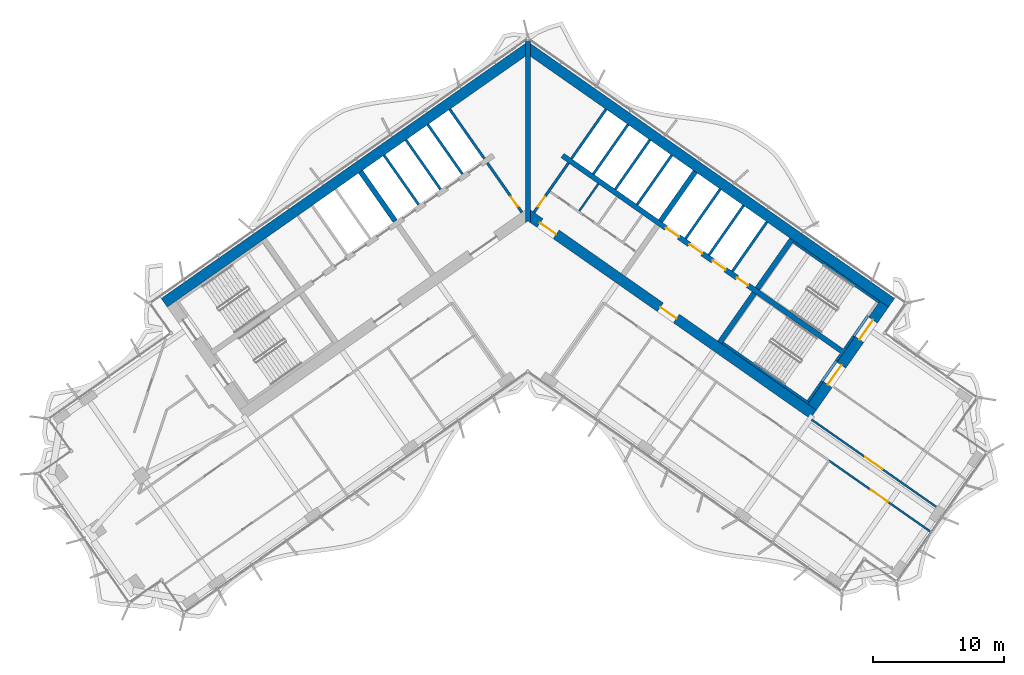
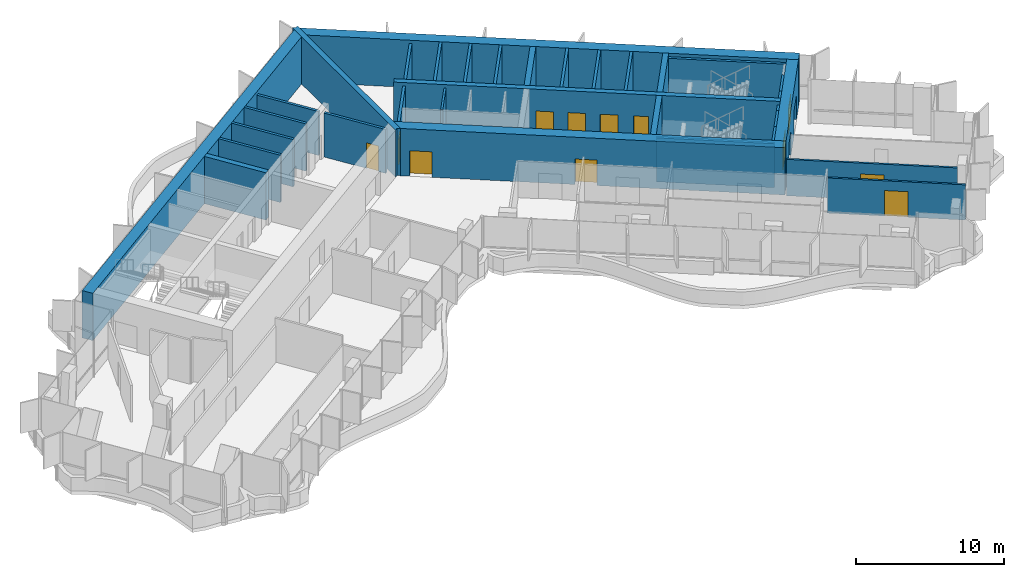
# One storey, part 16 of 23: 33 walls, 12 doors, 12 openings.
"""IFC4 building model written with IfcOpenShell, lengths in metres."""

import ifcopenshell
import ifcopenshell.guid

model = None  # the IFC model being written
_history = None  # IfcOwnerHistory: only IFC2X3 demands one
_inside = {}  # id of a spatial element -> (the spatial element, [elements in it])
_under = {}  # id of a project, library or spatial element -> (it, [spatial elements below it])
_declared = {}  # id of a project -> (the project, [libraries it declares])
_typed = {}  # id of a type object -> (the type object, [elements of that type])
_made_of = {}  # id of a material, layer set ... -> (it, [elements and type objects made of it])


def new_model(schema):
    """Start an empty IFC model of exactly this schema.

    Asked for "IFC4X3", IfcOpenShell would pick the latest addendum, in which some entities
    have other attributes; the version numbers below select the first issue.
    IFC2X3 requires an IfcOwnerHistory on every rooted entity: one is made here for all.
    """
    global model, _history
    if schema == "IFC4X3":
        model = ifcopenshell.file(schema_version=(4, 3, 0, 0))
    else:
        model = ifcopenshell.file(schema=schema)
    _inside.clear()
    _under.clear()
    _declared.clear()
    _typed.clear()
    _made_of.clear()
    _history = None
    if model.schema == "IFC2X3":
        org = make("IfcOrganization", Name="unknown")
        user = make(
            "IfcPersonAndOrganization",
            ThePerson=make("IfcPerson", FamilyName="unknown"),
            TheOrganization=org,
        )
        app = make(
            "IfcApplication",
            ApplicationDeveloper=org,
            Version="unknown",
            ApplicationFullName="unknown",
            ApplicationIdentifier="unknown",
        )
        _history = make(
            "IfcOwnerHistory",
            OwningUser=user,
            OwningApplication=app,
            ChangeAction="ADDED",
            CreationDate=0,
        )
    return model


def make(cls, **values):
    """One entity of the class cls with the attributes given. An attribute that is None is left unset."""
    return model.create_entity(
        cls, **{name: value for name, value in values.items() if value is not None}
    )


def rooted(cls, **values):
    """An entity with a GlobalId (a new one), such as an element, a storey or a relation."""
    return make(cls, GlobalId=ifcopenshell.guid.new(), OwnerHistory=_history, **values)


def si_unit(unit_type, name, prefix=None):
    """IfcSIUnit, for example si_unit("LENGTHUNIT", "METRE", prefix="MILLI")."""
    return make("IfcSIUnit", UnitType=unit_type, Prefix=prefix, Name=name)


def assignment(units):
    """IfcUnitAssignment: the units of a project."""
    return None if units is None else make("IfcUnitAssignment", Units=units)


def point(xyz):
    """IfcCartesianPoint."""
    return None if xyz is None else make("IfcCartesianPoint", Coordinates=xyz)


def direction(xyz):
    """IfcDirection."""
    return None if xyz is None else make("IfcDirection", DirectionRatios=xyz)


def frame(location, z_axis=None, x_axis=None):
    """IfcAxis2Placement3D, a coordinate frame: its origin and axes. An axis left out is left unset."""
    return make(
        "IfcAxis2Placement3D",
        Location=point(location),
        Axis=direction(z_axis),
        RefDirection=direction(x_axis),
    )


def frame_2d(location, x_axis=None):
    """IfcAxis2Placement2D, a coordinate frame in the plane: its origin and x axis."""
    return make(
        "IfcAxis2Placement2D", Location=point(location), RefDirection=direction(x_axis)
    )


def origin():
    """The frame at (0, 0, 0) with its axes left unset."""
    return frame((0.0, 0.0, 0.0))


def place(relative_to, where):
    """IfcLocalPlacement: puts the frame where relative to a parent placement (None: the world)."""
    return make(
        "IfcLocalPlacement", PlacementRelTo=relative_to, RelativePlacement=where
    )


def context(
    kind, dimensions, precision=None, world=None, true_north=None, identifier=None
):
    """IfcGeometricRepresentationContext, for example the 3D "Model" context."""
    return make(
        "IfcGeometricRepresentationContext",
        ContextIdentifier=identifier,
        ContextType=kind,
        CoordinateSpaceDimension=dimensions,
        Precision=precision,
        WorldCoordinateSystem=world,
        TrueNorth=true_north,
    )


def subcontext(parent, identifier, kind, view, scale=None):
    """IfcGeometricRepresentationSubContext, for example "Body" below "Model"."""
    return make(
        "IfcGeometricRepresentationSubContext",
        ContextIdentifier=identifier,
        ContextType=kind,
        ParentContext=parent,
        TargetScale=scale,
        TargetView=view,
    )


def project(units=None, contexts=None):
    """IfcProject with its units and contexts."""
    return rooted(
        "IfcProject",
        Name="project",
        RepresentationContexts=contexts,
        UnitsInContext=assignment(units),
    )


def spatial(cls, under=None, at=None, **own):
    """A site, building, storey or space (cls), placed at a placement, below another one or the project."""
    s = rooted(cls, ObjectPlacement=at, **own)
    if under is not None:
        _under.setdefault(under.id(), (under, []))[1].append(s)
    return s


def polyline(points):
    """IfcPolyline through the points."""
    return make("IfcPolyline", Points=[point(p) for p in points])


def profile(cls, at=None, kind="AREA", **sizes):
    """A parametric profile (cls). Its sizes go by their IFC names, for example OverallWidth=200.0."""
    return make(cls, ProfileType=kind, Position=at, **sizes)


def rectangle(**sizes):
    """IfcRectangleProfileDef."""
    return profile("IfcRectangleProfileDef", **sizes)


def outline(outer, holes=None, kind="AREA"):
    """IfcArbitraryClosedProfileDef: a profile drawn as a closed curve; with holes, ...WithVoids."""
    if holes is None:
        return make("IfcArbitraryClosedProfileDef", ProfileType=kind, OuterCurve=outer)
    return make(
        "IfcArbitraryProfileDefWithVoids",
        ProfileType=kind,
        OuterCurve=outer,
        InnerCurves=holes,
    )


def extrude(swept, where, along, depth):
    """IfcExtrudedAreaSolid: the profile swept, set in the frame where, extruded along a direction by depth."""
    return make(
        "IfcExtrudedAreaSolid",
        SweptArea=swept,
        Position=where,
        ExtrudedDirection=direction(along),
        Depth=depth,
    )


def shape(context_of_items, identifier, shape_type, items):
    """IfcShapeRepresentation: the items that make up one representation, for example the "Body"."""
    return make(
        "IfcShapeRepresentation",
        ContextOfItems=context_of_items,
        RepresentationIdentifier=identifier,
        RepresentationType=shape_type,
        Items=items,
    )


def material(Name=None, Category=None):
    """IfcMaterial."""
    return make("IfcMaterial", Name=Name, Category=Category)


def layer(
    of_material, thickness, ventilated=None, Name=None, Category=None, Priority=None
):
    """IfcMaterialLayer: one layer of a wall or slab, of a material (None: an air gap)."""
    return make(
        "IfcMaterialLayer",
        Material=of_material,
        LayerThickness=thickness,
        IsVentilated=ventilated,
        Name=Name,
        Category=Category,
        Priority=Priority,
    )


def layer_set(layers, Name=None):
    """IfcMaterialLayerSet."""
    return make("IfcMaterialLayerSet", MaterialLayers=layers, LayerSetName=Name)


def made_of(thing, what):
    """Note that an element or type object is made of a material, layer set ...; save() writes the relation."""
    if what is not None:
        _made_of.setdefault(what.id(), (what, []))[1].append(thing)
    return thing


def type_object(cls, material=None, **own):
    """A type object (cls), such as IfcWallType, which elements share."""
    return made_of(rooted(cls, **own), material)


def element(
    cls,
    number,
    at=None,
    inside=None,
    cuts=None,
    type_object=None,
    material=None,
    context=None,
    identifier="Body",
    shape_type=None,
    held_by="IfcProductDefinitionShape",
    body=None,
    shapes=None,
    **own,
):
    """One element of the class cls, such as IfcWall. Its Tag is "e" and its number.

    at: its placement. inside: the storey or other place that contains it. cuts: it is an
    opening in that element (IfcRelVoidsElement). A single representation is given by context,
    identifier, shape_type and body (its items); several are given by shapes. held_by: the class
    of the entity that holds the representations. save() writes the other relations.
    """
    e = rooted(cls, Tag="e%d" % number, ObjectPlacement=at, **own)
    if body is not None:
        shapes = [shape(context, identifier, shape_type, body)]
    if shapes is not None:
        e.Representation = make(held_by, Representations=shapes)
    if inside is not None:
        _inside.setdefault(inside.id(), (inside, []))[1].append(e)
    if cuts is not None:
        rooted(
            "IfcRelVoidsElement", RelatingBuildingElement=cuts, RelatedOpeningElement=e
        )
    if type_object is not None:
        _typed.setdefault(type_object.id(), (type_object, []))[1].append(e)
    return made_of(e, material)


def fill(opening, filler):
    """IfcRelFillsElement: the door or window that sits in an opening."""
    return rooted(
        "IfcRelFillsElement",
        RelatingOpeningElement=opening,
        RelatedBuildingElement=filler,
    )


def aggregate(whole, parts):
    """IfcRelAggregates: a whole, such as a stair, and the parts it consists of."""
    return rooted("IfcRelAggregates", RelatingObject=whole, RelatedObjects=parts)


def save(model, path):
    """Write the relations noted so far, then the file.

    IfcRelAggregates (storeys below a building ...), IfcRelContainedInSpatialStructure (elements
    in a storey), IfcRelDefinesByType, IfcRelAssociatesMaterial and IfcRelDeclares: one each for
    every whole, place, type object, material and project.
    """
    for whole, parts in _under.values():
        aggregate(whole, parts)
    for where, things in _inside.values():
        rooted(
            "IfcRelContainedInSpatialStructure",
            RelatedElements=things,
            RelatingStructure=where,
        )
    for kind, things in _typed.values():
        rooted("IfcRelDefinesByType", RelatedObjects=things, RelatingType=kind)
    for what, things in _made_of.values():
        rooted("IfcRelAssociatesMaterial", RelatedObjects=things, RelatingMaterial=what)
    for by, libraries in _declared.values():
        rooted("IfcRelDeclares", RelatingContext=by, RelatedDefinitions=libraries)
    model.write(path)


model = new_model("IFC4")

# Units and contexts
model_context = context("Model", 3, precision=1e-05, world=origin(), true_north=direction((0.0, 1.0)))
body_context = subcontext(model_context, "Body", "Model", "MODEL_VIEW")
ifc_project = project(units=[si_unit("LENGTHUNIT", "METRE"), si_unit("AREAUNIT", "SQUARE_METRE"), si_unit("VOLUMEUNIT", "CUBIC_METRE"), si_unit("PLANEANGLEUNIT", "RADIAN"), si_unit("MASSUNIT", "GRAM", prefix="KILO")], contexts=[model_context])

# Site, building, storey
site_placement = place(None, origin())
site = spatial("IfcSite", under=ifc_project, at=site_placement, CompositionType="ELEMENT")
building_placement = place(site_placement, origin())
building = spatial("IfcBuilding", under=site, at=building_placement, Name="Tel Ilan Convention Tower", CompositionType="ELEMENT")
storey_placement = place(building_placement, frame((0.0, 0.0, 198.300048828125)))
storey = spatial("IfcBuildingStorey", under=building, at=storey_placement, Name="L46", CompositionType="ELEMENT", Elevation=198.300048828125)

# Wall
ifc_material_1 = material(Name="Gypsum Plasterboard on Steel Stud", Category="steel")
ifc_layer_1 = layer(ifc_material_1, 0.14990234375)
ifc_layer_set_1 = layer_set([ifc_layer_1], Name="Core Room Partition Wall 150 mm EI 60")
wall_type_1 = type_object("IfcWallType", Name="Core Room Partition Wall 150 mm EI 60", PredefinedType="PARTITIONING", material=ifc_layer_set_1)
wall_1_placement = place(storey_placement, frame((3.922119140625, -0.457275390625, 0.0), z_axis=(0.0, 0.0, 1.0), x_axis=(0.573566168143, 0.81915923407, 0.0)))
element("IfcWall", 1, at=wall_1_placement, inside=storey, type_object=wall_type_1, Name="L46 core wall wc-v0", PredefinedType="PARTITIONING", context=body_context, shape_type="SweptSolid", body=[
    extrude(rectangle(XDim=2.52490234375, YDim=0.14990234375, at=frame_2d((1.262451171875, 0.0))), origin(), (0.0, 0.0, 1.0), 3.619873046875),
])

# Wall, opening, door
ifc_material_2 = material(Name="Concrete C30/37", Category="concrete")
ifc_layer_2 = layer(ifc_material_2, 0.199951171875)
ifc_layer_set_2 = layer_set([ifc_layer_2], Name="Core Service Room Wall 200 mm C30/37")
wall_type_2 = type_object("IfcWallType", Name="Core Service Room Wall 200 mm C30/37", PredefinedType="SOLIDWALL", material=ifc_layer_set_2)
wall_2_placement = place(storey_placement, frame((-0.458740234375, -0.565185546875, 0.0), z_axis=(0.0, 0.0, 1.0), x_axis=(-0.573576324356, 0.819152122709, 0.0)))
wall_2 = element("IfcWall", 2, at=wall_2_placement, inside=storey, type_object=wall_type_2, Name="L46 core wall apex-W", PredefinedType="SOLIDWALL", context=body_context, shape_type="SweptSolid", body=[
    extrude(rectangle(XDim=4.599853515625, YDim=0.199951171875, at=frame_2d((2.2998046875, 0.0))), origin(), (0.0, 0.0, 1.0), 3.619873046875),
])
opening_1_placement = place(wall_2_placement, frame((0.550048828125, 0.0, 0.0)))
opening_1 = element("IfcOpeningElement", 3, at=opening_1_placement, cuts=wall_2, Name="Opening CD3602", PredefinedType="OPENING", context=body_context, shape_type="SweptSolid", body=[
    extrude(rectangle(XDim=0.89990234375, YDim=2.10009765625, at=frame_2d((0.449951171875, 1.050048828125))), frame((0.0, 0.10986328125, 0.0), z_axis=(0.0, -1.0, 0.0), x_axis=(1.0, 0.0, 0.0)), (0.0, 0.0, 1.0), 0.219970703125),
])
ifc_material_3 = material(Name="Galvanised Steel Door Leaf", Category="steel")
door_type_1 = type_object("IfcDoorType", Name="Service Room Door 900 x 2100 FD60", OperationType="NOTDEFINED", PredefinedType="DOOR", material=ifc_material_3)
door_1_placement = place(opening_1_placement, origin())
door_1 = element("IfcDoor", 4, at=door_1_placement, inside=storey, type_object=door_type_1, Name="Telecom Room door", OperationType="SINGLE_SWING_RIGHT", OverallHeight=2.10009765625, OverallWidth=0.89990234375, PredefinedType="DOOR", context=body_context, shape_type="SweptSolid", body=[
    extrude(rectangle(XDim=0.89990234375, YDim=2.10009765625, at=frame_2d((0.449951171875, 1.050048828125))), frame((0.0, 0.02490234375, 0.0), z_axis=(0.0, -1.0, 0.0), x_axis=(1.0, 0.0, 0.0)), (0.0, 0.0, 1.0), 0.050048828125),
])
fill(opening_1, door_1)

# Wall
wall_3_placement = place(storey_placement, frame((-3.32666015625, 3.530517578125, 0.0), z_axis=(0.0, 0.0, 1.0), x_axis=(-0.573576324356, 0.819152122709, 0.0)))
element("IfcWall", 5, at=wall_3_placement, inside=storey, type_object=wall_type_2, Name="L46 core wall apex-W-b", PredefinedType="SOLIDWALL", context=body_context, shape_type="SweptSolid", body=[
    extrude(rectangle(XDim=4.599853515625, YDim=0.199951171875, at=frame_2d((2.2998046875, 0.0))), origin(), (0.0, 0.0, 1.0), 3.619873046875),
])

# Wall, opening, door
wall_4_placement = place(storey_placement, frame((0.458740234375, -0.565185546875, 0.0), z_axis=(0.0, 0.0, 1.0), x_axis=(0.573576324356, 0.819152122709, 0.0)))
wall_4 = element("IfcWall", 6, at=wall_4_placement, inside=storey, type_object=wall_type_2, Name="L46 core wall apex-E", PredefinedType="SOLIDWALL", context=body_context, shape_type="SweptSolid", body=[
    extrude(rectangle(XDim=4.599853515625, YDim=0.199951171875, at=frame_2d((2.2998046875, 0.0))), origin(), (0.0, 0.0, 1.0), 3.619873046875),
])
opening_2_placement = place(wall_4_placement, frame((0.550048828125, 0.0, 0.0)))
opening_2 = element("IfcOpeningElement", 7, at=opening_2_placement, cuts=wall_4, Name="Opening CD3601", PredefinedType="OPENING", context=body_context, shape_type="SweptSolid", body=[
    extrude(rectangle(XDim=0.89990234375, YDim=2.10009765625, at=frame_2d((0.449951171875, 1.050048828125))), frame((0.0, 0.10986328125, 0.0), z_axis=(0.0, -1.0, 0.0), x_axis=(1.0, 0.0, 0.0)), (0.0, 0.0, 1.0), 0.219970703125),
])
door_2_placement = place(opening_2_placement, origin())
door_2 = element("IfcDoor", 8, at=door_2_placement, inside=storey, type_object=door_type_1, Name="Data Room door", OperationType="SINGLE_SWING_RIGHT", OverallHeight=2.10009765625, OverallWidth=0.89990234375, PredefinedType="DOOR", context=body_context, shape_type="SweptSolid", body=[
    extrude(rectangle(XDim=0.89990234375, YDim=2.10009765625, at=frame_2d((0.449951171875, 1.050048828125))), frame((0.0, 0.02490234375, 0.0), z_axis=(0.0, -1.0, 0.0), x_axis=(1.0, 0.0, 0.0)), (0.0, 0.0, 1.0), 0.050048828125),
])
fill(opening_2, door_2)

# Walls
wall_5_placement = place(storey_placement, frame((3.32666015625, 3.530517578125, 0.0), z_axis=(0.0, 0.0, 1.0), x_axis=(0.573576324356, 0.819152122709, 0.0)))
element("IfcWall", 9, at=wall_5_placement, inside=storey, type_object=wall_type_2, Name="L46 core wall apex-E-b", PredefinedType="SOLIDWALL", context=body_context, shape_type="SweptSolid", body=[
    extrude(rectangle(XDim=4.599853515625, YDim=0.199951171875, at=frame_2d((2.2998046875, 0.0))), origin(), (0.0, 0.0, 1.0), 3.619873046875),
])
ifc_material_4 = material(Name="Concrete C50/60", Category="concrete")
ifc_layer_3 = layer(ifc_material_4, 0.39990234375)
ifc_layer_set_3 = layer_set([ifc_layer_3], Name="Core Shear Wall 400 mm C50/60")
wall_type_3 = type_object("IfcWallType", Name="Core Shear Wall 400 mm C50/60", PredefinedType="SHEAR", material=ifc_layer_set_3)
wall_6_placement = place(storey_placement, frame((-10.12548828125, -1.230224609375, 0.0), z_axis=(0.0, 0.0, 1.0), x_axis=(-0.573576324356, 0.819152122709, 0.0)))
element("IfcWall", 10, at=wall_6_placement, inside=storey, type_object=wall_type_3, Name="L46 core wall W-cross1-2", PredefinedType="SHEAR", context=body_context, shape_type="SweptSolid", body=[
    extrude(outline(polyline([(4.60009765625, -0.199951171875), (4.599853515625, 0.199951171875), (0.0, 0.2001953125), (0.0, -0.199951171875), (4.60009765625, -0.199951171875)])), origin(), (0.0, 0.0, 1.0), 3.89990234375),
])
wall_7_placement = place(storey_placement, frame((10.12548828125, -1.230224609375, 0.0), z_axis=(0.0, 0.0, 1.0), x_axis=(0.573576324356, 0.819152122709, 0.0)))
element("IfcWall", 11, at=wall_7_placement, inside=storey, type_object=wall_type_3, Name="L46 core wall E-cross1-2", PredefinedType="SHEAR", context=body_context, shape_type="SweptSolid", body=[
    extrude(outline(polyline([(4.599853515625, -0.199951171875), (4.60009765625, 0.199951171875), (0.0, 0.199951171875), (0.0, -0.2001953125), (4.599853515625, -0.199951171875)])), origin(), (0.0, 0.0, 1.0), 3.89990234375),
])
wall_8_placement = place(storey_placement, frame((14.6298828125, -10.48828125, 0.0), z_axis=(0.0, 0.0, 1.0), x_axis=(0.573611936273, 0.819127185829, 0.0)))
element("IfcWall", 12, at=wall_8_placement, inside=storey, type_object=wall_type_3, Name="L46 core wall E-cross2-1", PredefinedType="SHEAR", context=body_context, shape_type="SweptSolid", body=[
    extrude(outline(polyline([(0.000244140625, 0.199951171875), (0.000244140625, -0.2001953125), (4.60009765625, -0.199951171875), (4.60009765625, 0.2001953125), (0.000244140625, 0.199951171875)])), origin(), (0.0, 0.0, 1.0), 3.89990234375),
])
wall_9_placement = place(storey_placement, frame((17.497802734375, -6.392333984375, 0.0), z_axis=(0.0, 0.0, 1.0), x_axis=(0.573611936273, 0.819127185829, 0.0)))
element("IfcWall", 13, at=wall_9_placement, inside=storey, type_object=wall_type_3, Name="L46 core wall E-cross2-2", PredefinedType="SHEAR", context=body_context, shape_type="SweptSolid", body=[
    extrude(outline(polyline([(4.599853515625, -0.199951171875), (4.599853515625, 0.2001953125), (0.0, 0.199951171875), (0.0, -0.2001953125), (4.599853515625, -0.199951171875)])), origin(), (0.0, 0.0, 1.0), 3.89990234375),
])

# Wall, openings, doors
wall_10_placement = place(storey_placement, frame((2.638427734375, 3.76806640625, 0.0), z_axis=(0.0, 0.0, 1.0), x_axis=(0.81915267502, -0.573575535572, 0.0)))
wall_10 = element("IfcWall", 14, at=wall_10_placement, inside=storey, type_object=wall_type_3, Name="L46 core wall E-spine", PredefinedType="SHEAR", context=body_context, shape_type="SweptSolid", body=[
    extrude(outline(polyline([(0.0, 0.199951171875), (0.0, -0.199951171875), (26.199951171875, -0.199951171875), (26.199951171875, 0.199951171875), (0.0, 0.199951171875)])), origin(), (0.0, 0.0, 1.0), 3.89990234375),
])
opening_3_placement = place(wall_10_placement, frame((9.637451171875, 0.0, 0.0)))
opening_3 = element("IfcOpeningElement", 15, at=opening_3_placement, cuts=wall_10, Name="Opening LD3601", PredefinedType="OPENING", context=body_context, shape_type="SweptSolid", body=[
    extrude(rectangle(XDim=1.199951171875, YDim=2.10009765625, at=frame_2d((0.60009765625, 1.050048828125))), frame((0.0, 0.2099609375, 0.0), z_axis=(0.0, -1.0, 0.0), x_axis=(1.0, 0.0, 0.0)), (0.0, 0.0, 1.0), 0.419921875),
])
opening_4_placement = place(wall_10_placement, frame((11.8125, 0.0, 0.0)))
opening_4 = element("IfcOpeningElement", 16, at=opening_4_placement, cuts=wall_10, Name="Opening LD3602", PredefinedType="OPENING", context=body_context, shape_type="SweptSolid", body=[
    extrude(rectangle(XDim=1.199951171875, YDim=2.10009765625, at=frame_2d((0.60009765625, 1.050048828125))), frame((0.0, 0.2099609375, 0.0), z_axis=(0.0, -1.0, 0.0), x_axis=(1.0, 0.0, 0.0)), (0.0, 0.0, 1.0), 0.419921875),
])
opening_5_placement = place(wall_10_placement, frame((13.987548828125, 0.0, 0.0)))
opening_5 = element("IfcOpeningElement", 17, at=opening_5_placement, cuts=wall_10, Name="Opening LD3603", PredefinedType="OPENING", context=body_context, shape_type="SweptSolid", body=[
    extrude(rectangle(XDim=1.199951171875, YDim=2.10009765625, at=frame_2d((0.60009765625, 1.050048828125))), frame((0.0, 0.2099609375, 0.0), z_axis=(0.0, -1.0, 0.0), x_axis=(1.0, 0.0, 0.0)), (0.0, 0.0, 1.0), 0.419921875),
])
opening_6_placement = place(wall_10_placement, frame((16.262451171875, 0.0, 0.0)))
opening_6 = element("IfcOpeningElement", 18, at=opening_6_placement, cuts=wall_10, Name="Opening CD3607", PredefinedType="OPENING", context=body_context, shape_type="SweptSolid", body=[
    extrude(rectangle(XDim=1.0, YDim=2.10009765625, at=frame_2d((0.5, 1.050048828125))), frame((0.0, 0.2099609375, 0.0), z_axis=(0.0, -1.0, 0.0), x_axis=(1.0, 0.0, 0.0)), (0.0, 0.0, 1.0), 0.419921875),
])
ifc_material_5 = material(Name="Stainless Steel Sliding Door Leaf", Category="steel")
door_type_2 = type_object("IfcDoorType", Name="Lift Landing Door 1200 x 2100 FD120", OperationType="NOTDEFINED", PredefinedType="DOOR", material=ifc_material_5)
door_3_placement = place(opening_3_placement, origin())
door_3 = element("IfcDoor", 19, at=door_3_placement, inside=storey, type_object=door_type_2, Name="Lift FL1 landing door", OperationType="SLIDING_TO_LEFT", OverallHeight=2.10009765625, OverallWidth=1.199951171875, PredefinedType="DOOR", context=body_context, shape_type="SweptSolid", body=[
    extrude(rectangle(XDim=1.199951171875, YDim=2.10009765625, at=frame_2d((0.60009765625, 1.050048828125))), frame((0.0, 0.02490234375, 0.0), z_axis=(0.0, -1.0, 0.0), x_axis=(1.0, 0.0, 0.0)), (0.0, 0.0, 1.0), 0.050048828125),
])
fill(opening_3, door_3)
door_4_placement = place(opening_4_placement, origin())
door_4 = element("IfcDoor", 20, at=door_4_placement, inside=storey, type_object=door_type_2, Name="Lift FL2 landing door", OperationType="SLIDING_TO_RIGHT", OverallHeight=2.10009765625, OverallWidth=1.199951171875, PredefinedType="DOOR", context=body_context, shape_type="SweptSolid", body=[
    extrude(rectangle(XDim=1.199951171875, YDim=2.10009765625, at=frame_2d((0.60009765625, 1.050048828125))), frame((0.0, 0.02490234375, 0.0), z_axis=(0.0, -1.0, 0.0), x_axis=(1.0, 0.0, 0.0)), (0.0, 0.0, 1.0), 0.050048828125),
])
fill(opening_4, door_4)
door_5_placement = place(opening_5_placement, origin())
door_5 = element("IfcDoor", 21, at=door_5_placement, inside=storey, type_object=door_type_2, Name="Lift FL3 landing door", OperationType="SLIDING_TO_LEFT", OverallHeight=2.10009765625, OverallWidth=1.199951171875, PredefinedType="DOOR", context=body_context, shape_type="SweptSolid", body=[
    extrude(rectangle(XDim=1.199951171875, YDim=2.10009765625, at=frame_2d((0.60009765625, 1.050048828125))), frame((0.0, 0.02490234375, 0.0), z_axis=(0.0, -1.0, 0.0), x_axis=(1.0, 0.0, 0.0)), (0.0, 0.0, 1.0), 0.050048828125),
])
fill(opening_5, door_5)
ifc_material_6 = material(Name="Galvanised Steel Door Leaf", Category="steel")
door_type_3 = type_object("IfcDoorType", Name="Service Room Door 1000 x 2100 FD60", OperationType="NOTDEFINED", PredefinedType="DOOR", material=ifc_material_6)
door_6_placement = place(opening_6_placement, origin())
door_6 = element("IfcDoor", 22, at=door_6_placement, inside=storey, type_object=door_type_3, Name="Plant Room door", OperationType="SINGLE_SWING_RIGHT", OverallHeight=2.10009765625, OverallWidth=1.0, PredefinedType="DOOR", context=body_context, shape_type="SweptSolid", body=[
    extrude(rectangle(XDim=1.0, YDim=2.10009765625, at=frame_2d((0.5, 1.050048828125))), frame((0.0, 0.02490234375, 0.0), z_axis=(0.0, -1.0, 0.0), x_axis=(1.0, 0.0, 0.0)), (0.0, 0.0, 1.0), 0.050048828125),
])
fill(opening_6, door_6)

# Walls
wall_11_placement = place(storey_placement, frame((0.0, -1.36083984375, 0.0), z_axis=(0.0, 0.0, 1.0), x_axis=(0.0, 1.0, 0.0)))
element("IfcWall", 23, at=wall_11_placement, inside=storey, type_object=wall_type_3, Name="L46 core wall K-central", PredefinedType="SHEAR", context=body_context, shape_type="SweptSolid", body=[
    extrude(outline(polyline([(0.0, -0.199951171875), (0.14013671875, -0.199951171875), (1.0751953125, -0.199951171875), (12.696044921875, -0.199951171875), (13.812744140625, -0.199951171875), (13.893310546875, -0.199951171875), (13.933349609375, -0.172119140625), (13.812744140625, 0.0), (13.933349609375, 0.172119140625), (13.893310546875, 0.199951171875), (13.812744140625, 0.199951171875), (12.696044921875, 0.199951171875), (1.0751953125, 0.199951171875), (0.14013671875, 0.199951171875), (0.0, 0.199951171875), (0.14013671875, 0.0), (0.0, -0.199951171875)])), origin(), (0.0, 0.0, 1.0), 3.89990234375),
])
ifc_material_7 = material(Name="Concrete C50/60", Category="concrete")
ifc_layer_4 = layer(ifc_material_7, 0.800048828125)
ifc_layer_set_4 = layer_set([ifc_layer_4], Name="Core Shear Wall 800 mm C50/60")
wall_type_4 = type_object("IfcWallType", Name="Core Shear Wall 800 mm C50/60", PredefinedType="SHEAR", material=ifc_layer_set_4)
wall_12_placement = place(storey_placement, frame((0.029296875, 11.984130859375, 0.0), z_axis=(0.0, 0.0, 1.0), x_axis=(-0.819151382952, -0.573577380837, 0.0)))
element("IfcWall", 24, at=wall_12_placement, inside=storey, type_object=wall_type_4, Name="L46 core wall W-back", PredefinedType="SHEAR", context=body_context, shape_type="SweptSolid", body=[
    extrude(outline(polyline([(33.897705078125, 0.39990234375), (0.56005859375, 0.400146484375), (-0.000244140625, -0.39990234375), (33.897705078125, -0.400146484375), (33.897705078125, 0.39990234375)])), origin(), (0.0, 0.0, 1.0), 3.89990234375),
])
wall_13_placement = place(storey_placement, frame((-0.029296875, 11.984130859375, 0.0), z_axis=(0.0, 0.0, 1.0), x_axis=(0.819151382952, -0.573577380837, 0.0)))
element("IfcWall", 25, at=wall_13_placement, inside=storey, type_object=wall_type_4, Name="L46 core wall E-back", PredefinedType="SHEAR", context=body_context, shape_type="SweptSolid", body=[
    extrude(outline(polyline([(33.897705078125, 0.400146484375), (-0.000244140625, 0.39990234375), (0.56005859375, -0.400146484375), (33.897705078125, -0.39990234375), (33.897705078125, 0.400146484375)])), origin(), (0.0, 0.0, 1.0), 3.89990234375),
])

# Wall, openings, doors
wall_14_placement = place(storey_placement, frame((-0.029296875, -0.7119140625, 0.0), z_axis=(0.0, 0.0, 1.0), x_axis=(0.819151758019, -0.573576845187, 0.0)))
wall_14 = element("IfcWall", 26, at=wall_14_placement, inside=storey, type_object=wall_type_4, Name="L46 core wall E-front", PredefinedType="SHEAR", context=body_context, shape_type="SweptSolid", body=[
    extrude(outline(polyline([(26.61572265625, 0.39990234375), (-0.000244140625, 0.39990234375), (0.56005859375, -0.39990234375), (26.61572265625, -0.39990234375), (26.61572265625, 0.39990234375)])), origin(), (0.0, 0.0, 1.0), 3.89990234375),
])
opening_7_placement = place(wall_14_placement, frame((1.165771484375, 0.0, 0.0)))
opening_7 = element("IfcOpeningElement", 27, at=opening_7_placement, cuts=wall_14, Name="Opening CD3603", PredefinedType="OPENING", context=body_context, shape_type="SweptSolid", body=[
    extrude(rectangle(XDim=1.5, YDim=2.10009765625, at=frame_2d((0.75, 1.050048828125))), frame((0.0, 0.409912109375, 0.0), z_axis=(0.0, -1.0, 0.0), x_axis=(1.0, 0.0, 0.0)), (0.0, 0.0, 1.0), 0.820068359375),
])
opening_8_placement = place(wall_14_placement, frame((12.36572265625, 0.0, 0.0)))
opening_8 = element("IfcOpeningElement", 28, at=opening_8_placement, cuts=wall_14, Name="Opening CD3604", PredefinedType="OPENING", context=body_context, shape_type="SweptSolid", body=[
    extrude(rectangle(XDim=1.5, YDim=2.10009765625, at=frame_2d((0.75, 1.050048828125))), frame((0.0, 0.409912109375, 0.0), z_axis=(0.0, -1.0, 0.0), x_axis=(1.0, 0.0, 0.0)), (0.0, 0.0, 1.0), 0.820068359375),
])
ifc_material_8 = material(Name="Glazed Aluminium Door Leaf", Category="aluminium")
door_type_4 = type_object("IfcDoorType", Name="Lobby Opening Door 1500 x 2100 FD60S", OperationType="NOTDEFINED", PredefinedType="DOOR", material=ifc_material_8)
door_7_placement = place(opening_8_placement, origin())
door_7 = element("IfcDoor", 29, at=door_7_placement, inside=storey, type_object=door_type_4, Name="Firefighting Lobby door", OperationType="DOUBLE_DOOR_SINGLE_SWING", OverallHeight=2.10009765625, OverallWidth=1.5, PredefinedType="DOOR", context=body_context, shape_type="SweptSolid", body=[
    extrude(rectangle(XDim=1.5, YDim=2.10009765625, at=frame_2d((0.75, 1.050048828125))), frame((0.0, 0.02490234375, 0.0), z_axis=(0.0, -1.0, 0.0), x_axis=(1.0, 0.0, 0.0)), (0.0, 0.0, 1.0), 0.050048828125),
])
fill(opening_8, door_7)
ifc_material_9 = material(Name="Laminated Timber Door Leaf", Category="wood")
door_type_5 = type_object("IfcDoorType", Name="Toilet Door 1500 x 2100 FD30S", OperationType="NOTDEFINED", PredefinedType="DOOR", material=ifc_material_9)
door_8_placement = place(opening_7_placement, origin())
door_8 = element("IfcDoor", 30, at=door_8_placement, inside=storey, type_object=door_type_5, Name="WC Lobby door", OperationType="SINGLE_SWING_RIGHT", OverallHeight=2.10009765625, OverallWidth=1.5, PredefinedType="DOOR", context=body_context, shape_type="SweptSolid", body=[
    extrude(rectangle(XDim=1.5, YDim=2.10009765625, at=frame_2d((0.75, 1.050048828125))), frame((0.0, 0.02490234375, 0.0), z_axis=(0.0, -1.0, 0.0), x_axis=(1.0, 0.0, 0.0)), (0.0, 0.0, 1.0), 0.050048828125),
])
fill(opening_7, door_8)

wall_15_placement = place(storey_placement, frame((21.6748046875, -15.4208984375, 0.0), z_axis=(0.0, 0.0, 1.0), x_axis=(0.573581815061, 0.819148278049, 0.0)))
wall_15 = element("IfcWall", 31, at=wall_15_placement, inside=storey, type_object=wall_type_4, Name="L46 core wall E-end", PredefinedType="SHEAR", context=body_context, shape_type="SweptSolid", body=[
    extrude(outline(polyline([(9.599853515625, 0.400146484375), (0.0, 0.39990234375), (0.0, -0.39990234375), (9.599853515625, -0.39990234375), (9.599853515625, 0.400146484375)])), origin(), (0.0, 0.0, 1.0), 3.89990234375),
])
opening_9_placement = place(wall_15_placement, frame((6.300048828125, 0.0, 0.0)))
opening_9 = element("IfcOpeningElement", 32, at=opening_9_placement, cuts=wall_15, Name="Opening SD3603", PredefinedType="OPENING", context=body_context, shape_type="SweptSolid", body=[
    extrude(rectangle(XDim=1.800048828125, YDim=2.10009765625, at=frame_2d((0.89990234375, 1.050048828125))), frame((0.0, 0.409912109375, 0.0), z_axis=(0.0, -1.0, 0.0), x_axis=(1.0, 0.0, 0.0)), (0.0, 0.0, 1.0), 0.820068359375),
])
opening_10_placement = place(wall_15_placement, frame((2.10009765625, 0.0, 0.0)))
opening_10 = element("IfcOpeningElement", 33, at=opening_10_placement, cuts=wall_15, Name="Opening SD3604", PredefinedType="OPENING", context=body_context, shape_type="SweptSolid", body=[
    extrude(rectangle(XDim=1.800048828125, YDim=2.10009765625, at=frame_2d((0.89990234375, 1.050048828125))), frame((0.0, 0.409912109375, 0.0), z_axis=(0.0, -1.0, 0.0), x_axis=(1.0, 0.0, 0.0)), (0.0, 0.0, 1.0), 0.820068359375),
])
ifc_material_10 = material(Name="Galvanised Steel Door Leaf", Category="steel")
door_type_6 = type_object("IfcDoorType", Name="Stair Fire Door 1800 x 2100 FD60S", OperationType="NOTDEFINED", PredefinedType="DOOR", material=ifc_material_10)
door_9_placement = place(opening_9_placement, origin())
door_9 = element("IfcDoor", 34, at=door_9_placement, inside=storey, type_object=door_type_6, Name="Stair S3 door", OperationType="DOUBLE_DOOR_SINGLE_SWING", OverallHeight=2.10009765625, OverallWidth=1.800048828125, PredefinedType="DOOR", context=body_context, shape_type="SweptSolid", body=[
    extrude(rectangle(XDim=1.800048828125, YDim=2.10009765625, at=frame_2d((0.89990234375, 1.050048828125))), frame((0.0, 0.02490234375, 0.0), z_axis=(0.0, -1.0, 0.0), x_axis=(1.0, 0.0, 0.0)), (0.0, 0.0, 1.0), 0.050048828125),
])
fill(opening_9, door_9)
door_10_placement = place(opening_10_placement, origin())
door_10 = element("IfcDoor", 35, at=door_10_placement, inside=storey, type_object=door_type_6, Name="Stair S4 door", OperationType="DOUBLE_DOOR_SINGLE_SWING", OverallHeight=2.10009765625, OverallWidth=1.800048828125, PredefinedType="DOOR", context=body_context, shape_type="SweptSolid", body=[
    extrude(rectangle(XDim=1.800048828125, YDim=2.10009765625, at=frame_2d((0.89990234375, 1.050048828125))), frame((0.0, 0.02490234375, 0.0), z_axis=(0.0, -1.0, 0.0), x_axis=(1.0, 0.0, 0.0)), (0.0, 0.0, 1.0), 0.050048828125),
])
fill(opening_10, door_10)

# Wall, opening, door
ifc_material_11 = material(Name="Plasterboard on Steel Studs", Category="steel")
ifc_layer_5 = layer(ifc_material_11, 0.14990234375)
ifc_layer_set_5 = layer_set([ifc_layer_5], Name="Fire-rated Partition 150 EI 60")
wall_type_5 = type_object("IfcWallType", Name="Fire-rated Partition 150 EI 60", PredefinedType="PARTITIONING", material=ifc_layer_set_5)
wall_16_placement = place(storey_placement, frame((21.641845703125, -16.37451171875, 0.0), z_axis=(0.0, 0.0, 1.0), x_axis=(0.819150694041, -0.573578364701, 0.0)))
wall_16 = element("IfcWall", 36, at=wall_16_placement, inside=storey, type_object=wall_type_5, Name="Partition 001", PredefinedType="PARTITIONING", context=body_context, shape_type="SweptSolid", body=[
    extrude(rectangle(XDim=11.580078125, YDim=0.14990234375, at=frame_2d((5.7900390625, 0.0))), origin(), (0.0, 0.0, 1.0), 3.0),
])
opening_11_placement = place(wall_16_placement, frame((4.989990234375, 0.0, 0.0)))
opening_11 = element("IfcOpeningElement", 37, at=opening_11_placement, cuts=wall_16, Name="Opening L46-014", PredefinedType="OPENING", context=body_context, shape_type="SweptSolid", body=[
    extrude(rectangle(XDim=1.60009765625, YDim=2.10009765625, at=frame_2d((0.800048828125, 1.050048828125))), frame((0.0, 0.0849609375, 0.0), z_axis=(0.0, -1.0, 0.0), x_axis=(1.0, 0.0, 0.0)), (0.0, 0.0, 1.0), 0.169921875),
])
ifc_material_12 = material(Name="Timber Door Leaf in Steel Frame", Category="steel")
door_type_7 = type_object("IfcDoorType", Name="Tenant Suite Entrance Fire Door 1600x2100", OperationType="NOTDEFINED", PredefinedType="DOOR", material=ifc_material_12)
door_11_placement = place(opening_11_placement, origin())
door_11 = element("IfcDoor", 38, at=door_11_placement, inside=storey, type_object=door_type_7, Name="Door L46-014", OperationType="DOUBLE_DOOR_SINGLE_SWING", OverallHeight=2.10009765625, OverallWidth=1.60009765625, PredefinedType="DOOR", context=body_context, shape_type="SweptSolid", body=[
    extrude(rectangle(XDim=1.60009765625, YDim=2.10009765625, at=frame_2d((0.800048828125, 1.050048828125))), frame((0.0, 0.02490234375, 0.0), z_axis=(0.0, -1.0, 0.0), x_axis=(1.0, 0.0, 0.0)), (0.0, 0.0, 1.0), 0.050048828125),
])
fill(opening_11, door_11)

wall_17_placement = place(storey_placement, frame((30.668701171875, -24.892578125, 0.0), z_axis=(0.0, 0.0, 1.0), x_axis=(-0.819157500255, 0.573568644345, 0.0)))
wall_17 = element("IfcWall", 39, at=wall_17_placement, inside=storey, type_object=wall_type_5, Name="Partition 005", PredefinedType="PARTITIONING", context=body_context, shape_type="SweptSolid", body=[
    extrude(rectangle(XDim=9.40234375, YDim=0.14990234375, at=frame_2d((4.701171875, 0.0))), origin(), (0.0, 0.0, 1.0), 2.89990234375),
])
opening_12_placement = place(wall_17_placement, frame((3.90087890625, 0.0, 0.0)))
opening_12 = element("IfcOpeningElement", 40, at=opening_12_placement, cuts=wall_17, Name="Opening L46-012", PredefinedType="OPENING", context=body_context, shape_type="SweptSolid", body=[
    extrude(rectangle(XDim=1.60009765625, YDim=2.10009765625, at=frame_2d((0.800048828125, 1.050048828125))), frame((0.0, 0.0849609375, 0.0), z_axis=(0.0, -1.0, 0.0), x_axis=(1.0, 0.0, 0.0)), (0.0, 0.0, 1.0), 0.169921875),
])
door_12_placement = place(opening_12_placement, origin())
door_12 = element("IfcDoor", 41, at=door_12_placement, inside=storey, type_object=door_type_7, Name="Door L46-012", OperationType="DOUBLE_DOOR_SINGLE_SWING", OverallHeight=2.10009765625, OverallWidth=1.60009765625, PredefinedType="DOOR", context=body_context, shape_type="SweptSolid", body=[
    extrude(rectangle(XDim=1.60009765625, YDim=2.10009765625, at=frame_2d((0.800048828125, 1.050048828125))), frame((0.0, 0.02490234375, 0.0), z_axis=(0.0, -1.0, 0.0), x_axis=(1.0, 0.0, 0.0)), (0.0, 0.0, 1.0), 0.050048828125),
])
fill(opening_12, door_12)

# Walls
ifc_material_13 = material(Name="Concrete C30/37", Category="concrete")
ifc_layer_6 = layer(ifc_material_13, 0.199951171875)
ifc_layer_set_6 = layer_set([ifc_layer_6], Name="Lift Shaft Wall 200 mm C30/37")
wall_type_6 = type_object("IfcWallType", Name="Lift Shaft Wall 200 mm C30/37", PredefinedType="SOLIDWALL", material=ifc_layer_set_6)
for number, where, z_axis, x_axis, name in (
    (42, (-4.99560546875, 2.36181640625, 0.0), (0.0, 0.0, 1.0), (-0.573576324356, 0.819152122709, 0.0), "L46 core wall bank-W1-p0"),
    (43, (-6.66455078125, 1.193115234375, 0.0), (0.0, 0.0, 1.0), (-0.573576324356, 0.819152122709, 0.0), "L46 core wall bank-W1-p1"),
):
    element("IfcWall", number, at=place(storey_placement, frame(where, z_axis=z_axis, x_axis=x_axis)), inside=storey, type_object=wall_type_6, Name=name, PredefinedType="SOLIDWALL", context=body_context, shape_type="SweptSolid", body=[
        extrude(rectangle(XDim=4.599853515625, YDim=0.199951171875, at=frame_2d((2.2998046875, 0.0))), origin(), (0.0, 0.0, 1.0), 3.89990234375),
    ])
wall_18_placement = place(storey_placement, frame((-8.33349609375, 0.0244140625, 0.0), z_axis=(0.0, 0.0, 1.0), x_axis=(-0.573611936273, 0.819127185829, 0.0)))
element("IfcWall", 44, at=wall_18_placement, inside=storey, type_object=wall_type_6, Name="L46 core wall bank-W1-p2", PredefinedType="SOLIDWALL", context=body_context, shape_type="SweptSolid", body=[
    extrude(rectangle(XDim=4.60009765625, YDim=0.199951171875, at=frame_2d((2.300048828125, 0.0))), origin(), (0.0, 0.0, 1.0), 3.89990234375),
])
for number, where, z_axis, x_axis, name in (
    (45, (4.99560546875, 2.36181640625, 0.0), (0.0, 0.0, 1.0), (0.573576324356, 0.819152122709, 0.0), "L46 core wall bank-E1-p0"),
    (46, (6.66455078125, 1.193115234375, 0.0), (0.0, 0.0, 1.0), (0.573576324356, 0.819152122709, 0.0), "L46 core wall bank-E1-p1"),
):
    element("IfcWall", number, at=place(storey_placement, frame(where, z_axis=z_axis, x_axis=x_axis)), inside=storey, type_object=wall_type_6, Name=name, PredefinedType="SOLIDWALL", context=body_context, shape_type="SweptSolid", body=[
        extrude(rectangle(XDim=4.599853515625, YDim=0.199951171875, at=frame_2d((2.2998046875, 0.0))), origin(), (0.0, 0.0, 1.0), 3.89990234375),
    ])
wall_19_placement = place(storey_placement, frame((8.33349609375, 0.0244140625, 0.0), z_axis=(0.0, 0.0, 1.0), x_axis=(0.573611936273, 0.819127185829, 0.0)))
element("IfcWall", 47, at=wall_19_placement, inside=storey, type_object=wall_type_6, Name="L46 core wall bank-E1-p2", PredefinedType="SOLIDWALL", context=body_context, shape_type="SweptSolid", body=[
    extrude(rectangle(XDim=4.60009765625, YDim=0.199951171875, at=frame_2d((2.300048828125, 0.0))), origin(), (0.0, 0.0, 1.0), 3.89990234375),
])
for number, where, z_axis, x_axis, name in (
    (48, (12.030029296875, -2.563720703125, 0.0), (0.0, 0.0, 1.0), (0.573576324356, 0.819152122709, 0.0), "L46 core wall bank-E2-p0"),
    (49, (13.811767578125, -3.811279296875, 0.0), (0.0, 0.0, 1.0), (0.573576324356, 0.819152122709, 0.0), "L46 core wall bank-E2-p1"),
    (50, (15.593505859375, -5.058837890625, 0.0), (0.0, 0.0, 1.0), (0.573540709186, 0.819177059558, 0.0), "L46 core wall bank-E2-p2"),
):
    element("IfcWall", number, at=place(storey_placement, frame(where, z_axis=z_axis, x_axis=x_axis)), inside=storey, type_object=wall_type_6, Name=name, PredefinedType="SOLIDWALL", context=body_context, shape_type="SweptSolid", body=[
        extrude(rectangle(XDim=4.599853515625, YDim=0.199951171875, at=frame_2d((2.2998046875, 0.0))), origin(), (0.0, 0.0, 1.0), 3.89990234375),
    ])
ifc_material_14 = material(Name="Concrete C30/37", Category="concrete")
ifc_layer_7 = layer(ifc_material_14, 0.199951171875)
ifc_layer_set_7 = layer_set([ifc_layer_7], Name="Stair and Shaft Lining Wall 200 mm C30/37")
wall_type_7 = type_object("IfcWallType", Name="Stair and Shaft Lining Wall 200 mm C30/37", PredefinedType="SOLIDWALL", material=ifc_layer_set_7)
wall_20_placement = place(storey_placement, frame((20.242919921875, -2.821044921875, 0.0), z_axis=(0.0, 0.0, 1.0), x_axis=(0.819141584393, -0.57359137434, 0.0)))
element("IfcWall", 51, at=wall_20_placement, inside=storey, type_object=wall_type_7, Name="L46 core wall lining-S3-t1", PredefinedType="SOLIDWALL", context=body_context, shape_type="SweptSolid", body=[
    extrude(rectangle(XDim=7.999755859375, YDim=0.199951171875, at=frame_2d((4.0, 0.0))), origin(), (0.0, 0.0, 1.0), 3.619873046875),
])
wall_21_placement = place(storey_placement, frame((24.16162109375, -10.99755859375, 0.0), z_axis=(0.0, 0.0, 1.0), x_axis=(0.573612502218, 0.819126789514, 0.0)))
element("IfcWall", 52, at=wall_21_placement, inside=storey, type_object=wall_type_7, Name="L46 core wall lining-S3-u1-0", PredefinedType="SOLIDWALL", context=body_context, shape_type="SweptSolid", body=[
    extrude(rectangle(XDim=1.2001953125, YDim=0.199951171875, at=frame_2d((0.60009765625, 0.0))), origin(), (0.0, 0.0, 1.0), 3.619873046875),
])
wall_22_placement = place(storey_placement, frame((24.85009765625, -10.014404296875, 2.14990234375), z_axis=(0.0, 0.0, 1.0), x_axis=(0.573505465124, 0.819201734296, 0.0)))
element("IfcWall", 53, at=wall_22_placement, inside=storey, type_object=wall_type_7, Name="L46 core wall lining-S3-u1-lintel", PredefinedType="SOLIDWALL", context=body_context, shape_type="SweptSolid", body=[
    extrude(rectangle(XDim=1.89990234375, YDim=0.199951171875, at=frame_2d((0.949951171875, 0.0))), origin(), (0.0, 0.0, 1.0), 1.469970703125),
])
wall_23_placement = place(storey_placement, frame((14.851318359375, -10.52099609375, 0.0), z_axis=(0.0, 0.0, 1.0), x_axis=(0.819141584393, -0.57359137434, 0.0)))
element("IfcWall", 54, at=wall_23_placement, inside=storey, type_object=wall_type_7, Name="L46 core wall lining-S4-t0", PredefinedType="SOLIDWALL", context=body_context, shape_type="SweptSolid", body=[
    extrude(rectangle(XDim=7.999755859375, YDim=0.199951171875, at=frame_2d((4.0, 0.0))), origin(), (0.0, 0.0, 1.0), 3.619873046875),
])
wall_24_placement = place(storey_placement, frame((21.3798828125, -14.97021484375, 0.0), z_axis=(0.0, 0.0, 1.0), x_axis=(0.573559770908, 0.819163713305, 0.0)))
element("IfcWall", 55, at=wall_24_placement, inside=storey, type_object=wall_type_7, Name="L46 core wall lining-S4-u1-0", PredefinedType="SOLIDWALL", context=body_context, shape_type="SweptSolid", body=[
    extrude(rectangle(XDim=1.849853515625, YDim=0.199951171875, at=frame_2d((0.9248046875, 0.0))), origin(), (0.0, 0.0, 1.0), 3.619873046875),
])
wall_25_placement = place(storey_placement, frame((23.53076171875, -11.8984375, 0.0), z_axis=(0.0, 0.0, 1.0), x_axis=(0.573708088123, 0.819059844958, 0.0)))
element("IfcWall", 56, at=wall_25_placement, inside=storey, type_object=wall_type_7, Name="L46 core wall lining-S4-u1-1", PredefinedType="SOLIDWALL", context=body_context, shape_type="SweptSolid", body=[
    extrude(rectangle(XDim=0.60009765625, YDim=0.199951171875, at=frame_2d((0.300048828125, 0.0))), origin(), (0.0, 0.0, 1.0), 3.619873046875),
])
wall_26_placement = place(storey_placement, frame((22.44091796875, -13.454833984375, 2.14990234375), z_axis=(0.0, 0.0, 1.0), x_axis=(0.573591692345, 0.819141361715, 0.0)))
element("IfcWall", 57, at=wall_26_placement, inside=storey, type_object=wall_type_7, Name="L46 core wall lining-S4-u1-lintel", PredefinedType="SOLIDWALL", context=body_context, shape_type="SweptSolid", body=[
    extrude(rectangle(XDim=1.900146484375, YDim=0.199951171875, at=frame_2d((0.9501953125, 0.0))), origin(), (0.0, 0.0, 1.0), 1.469970703125),
])

save(model, "model.ifc")
